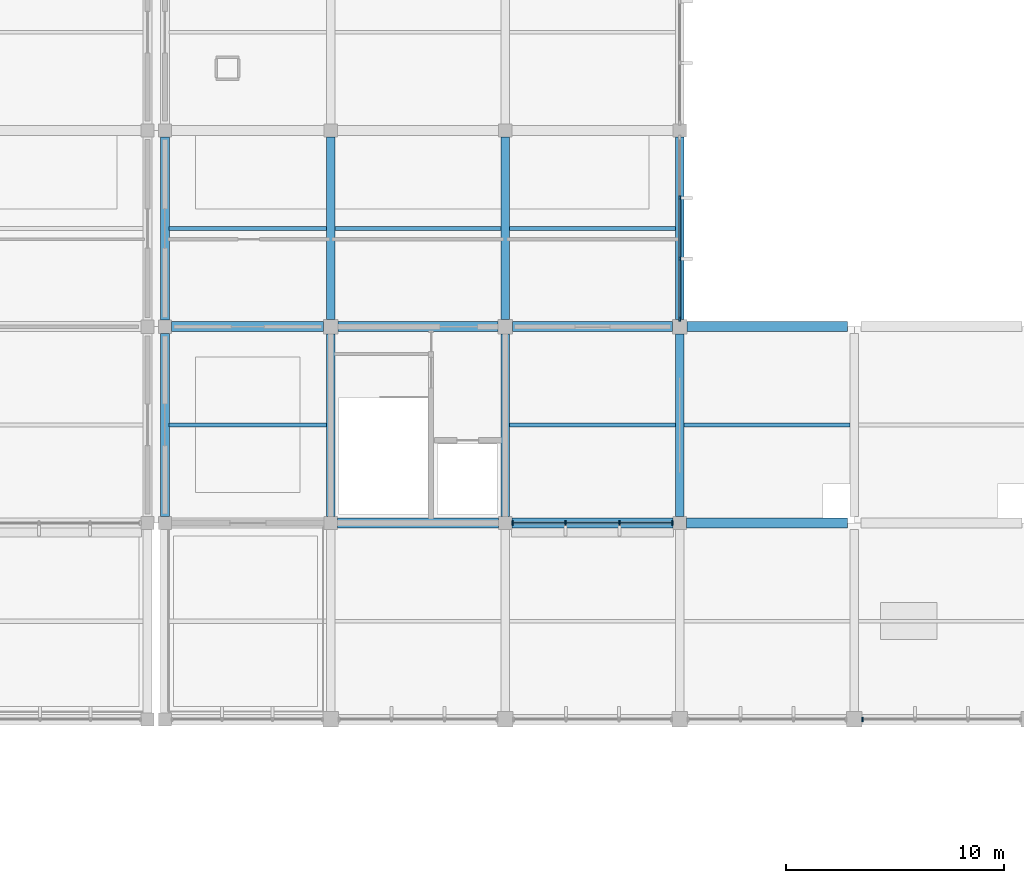
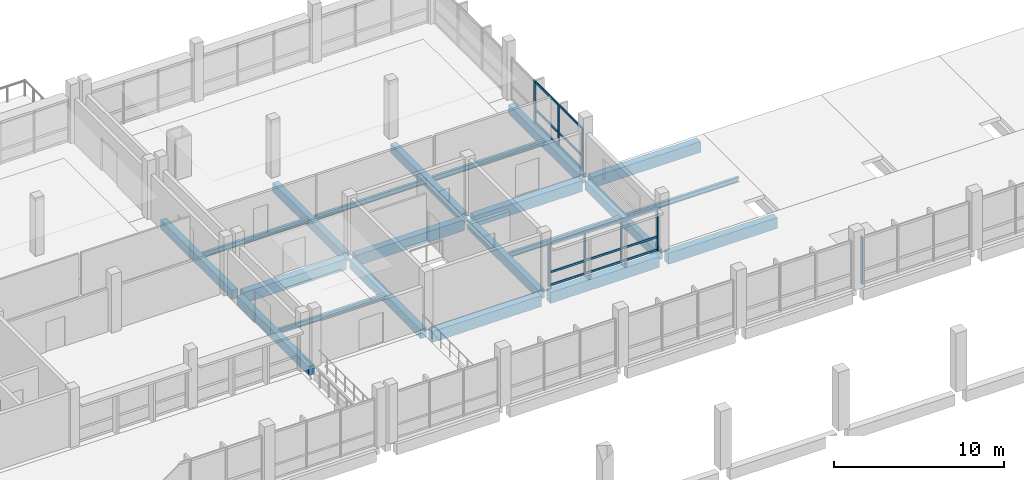
# One storey, part 38 of 70: 23 members, 21 beams, 3 elements without a shape of their own.
"""IFC4 building model written with IfcOpenShell, lengths in metres."""

import ifcopenshell
import ifcopenshell.guid

model = None  # the IFC model being written
_history = None  # IfcOwnerHistory: only IFC2X3 demands one
_inside = {}  # id of a spatial element -> (the spatial element, [elements in it])
_under = {}  # id of a project, library or spatial element -> (it, [spatial elements below it])
_declared = {}  # id of a project -> (the project, [libraries it declares])
_typed = {}  # id of a type object -> (the type object, [elements of that type])
_made_of = {}  # id of a material, layer set ... -> (it, [elements and type objects made of it])


def new_model(schema):
    """Start an empty IFC model of exactly this schema.

    Asked for "IFC4X3", IfcOpenShell would pick the latest addendum, in which some entities
    have other attributes; the version numbers below select the first issue.
    IFC2X3 requires an IfcOwnerHistory on every rooted entity: one is made here for all.
    """
    global model, _history
    if schema == "IFC4X3":
        model = ifcopenshell.file(schema_version=(4, 3, 0, 0))
    else:
        model = ifcopenshell.file(schema=schema)
    _inside.clear()
    _under.clear()
    _declared.clear()
    _typed.clear()
    _made_of.clear()
    _history = None
    if model.schema == "IFC2X3":
        org = make("IfcOrganization", Name="unknown")
        user = make(
            "IfcPersonAndOrganization",
            ThePerson=make("IfcPerson", FamilyName="unknown"),
            TheOrganization=org,
        )
        app = make(
            "IfcApplication",
            ApplicationDeveloper=org,
            Version="unknown",
            ApplicationFullName="unknown",
            ApplicationIdentifier="unknown",
        )
        _history = make(
            "IfcOwnerHistory",
            OwningUser=user,
            OwningApplication=app,
            ChangeAction="ADDED",
            CreationDate=0,
        )
    return model


def make(cls, **values):
    """One entity of the class cls with the attributes given. An attribute that is None is left unset."""
    return model.create_entity(
        cls, **{name: value for name, value in values.items() if value is not None}
    )


def rooted(cls, **values):
    """An entity with a GlobalId (a new one), such as an element, a storey or a relation."""
    return make(cls, GlobalId=ifcopenshell.guid.new(), OwnerHistory=_history, **values)


def si_unit(unit_type, name, prefix=None):
    """IfcSIUnit, for example si_unit("LENGTHUNIT", "METRE", prefix="MILLI")."""
    return make("IfcSIUnit", UnitType=unit_type, Prefix=prefix, Name=name)


def assignment(units):
    """IfcUnitAssignment: the units of a project."""
    return None if units is None else make("IfcUnitAssignment", Units=units)


def point(xyz):
    """IfcCartesianPoint."""
    return None if xyz is None else make("IfcCartesianPoint", Coordinates=xyz)


def direction(xyz):
    """IfcDirection."""
    return None if xyz is None else make("IfcDirection", DirectionRatios=xyz)


def frame(location, z_axis=None, x_axis=None):
    """IfcAxis2Placement3D, a coordinate frame: its origin and axes. An axis left out is left unset."""
    return make(
        "IfcAxis2Placement3D",
        Location=point(location),
        Axis=direction(z_axis),
        RefDirection=direction(x_axis),
    )


def frame_2d(location, x_axis=None):
    """IfcAxis2Placement2D, a coordinate frame in the plane: its origin and x axis."""
    return make(
        "IfcAxis2Placement2D", Location=point(location), RefDirection=direction(x_axis)
    )


def origin():
    """The frame at (0, 0, 0) with its axes left unset."""
    return frame((0.0, 0.0, 0.0))


def origin_2d():
    """The frame at (0, 0) in the plane with its x axis left unset."""
    return frame_2d((0.0, 0.0))


def place(relative_to, where):
    """IfcLocalPlacement: puts the frame where relative to a parent placement (None: the world)."""
    return make(
        "IfcLocalPlacement", PlacementRelTo=relative_to, RelativePlacement=where
    )


def context(
    kind, dimensions, precision=None, world=None, true_north=None, identifier=None
):
    """IfcGeometricRepresentationContext, for example the 3D "Model" context."""
    return make(
        "IfcGeometricRepresentationContext",
        ContextIdentifier=identifier,
        ContextType=kind,
        CoordinateSpaceDimension=dimensions,
        Precision=precision,
        WorldCoordinateSystem=world,
        TrueNorth=true_north,
    )


def subcontext(parent, identifier, kind, view, scale=None):
    """IfcGeometricRepresentationSubContext, for example "Body" below "Model"."""
    return make(
        "IfcGeometricRepresentationSubContext",
        ContextIdentifier=identifier,
        ContextType=kind,
        ParentContext=parent,
        TargetScale=scale,
        TargetView=view,
    )


def project(units=None, contexts=None):
    """IfcProject with its units and contexts."""
    return rooted(
        "IfcProject",
        Name="project",
        RepresentationContexts=contexts,
        UnitsInContext=assignment(units),
    )


def spatial(cls, under=None, at=None, **own):
    """A site, building, storey or space (cls), placed at a placement, below another one or the project."""
    s = rooted(cls, ObjectPlacement=at, **own)
    if under is not None:
        _under.setdefault(under.id(), (under, []))[1].append(s)
    return s


def profile(cls, at=None, kind="AREA", **sizes):
    """A parametric profile (cls). Its sizes go by their IFC names, for example OverallWidth=200.0."""
    return make(cls, ProfileType=kind, Position=at, **sizes)


def rectangle(**sizes):
    """IfcRectangleProfileDef."""
    return profile("IfcRectangleProfileDef", **sizes)


def i_section(**sizes):
    """IfcIShapeProfileDef."""
    return profile("IfcIShapeProfileDef", **sizes)


def extrude(swept, where, along, depth):
    """IfcExtrudedAreaSolid: the profile swept, set in the frame where, extruded along a direction by depth."""
    return make(
        "IfcExtrudedAreaSolid",
        SweptArea=swept,
        Position=where,
        ExtrudedDirection=direction(along),
        Depth=depth,
    )


def shape(context_of_items, identifier, shape_type, items):
    """IfcShapeRepresentation: the items that make up one representation, for example the "Body"."""
    return make(
        "IfcShapeRepresentation",
        ContextOfItems=context_of_items,
        RepresentationIdentifier=identifier,
        RepresentationType=shape_type,
        Items=items,
    )


def material(Name=None, Category=None):
    """IfcMaterial."""
    return make("IfcMaterial", Name=Name, Category=Category)


def material_profile(
    of_material, cross_section, Name=None, Category=None, Priority=None
):
    """IfcMaterialProfile: a cross section and its material."""
    return make(
        "IfcMaterialProfile",
        Name=Name,
        Material=of_material,
        Profile=cross_section,
        Priority=Priority,
        Category=Category,
    )


def profile_set(profiles, Name=None, composite=None):
    """IfcMaterialProfileSet."""
    return make(
        "IfcMaterialProfileSet",
        Name=Name,
        MaterialProfiles=profiles,
        CompositeProfile=composite,
    )


def made_of(thing, what):
    """Note that an element or type object is made of a material, layer set ...; save() writes the relation."""
    if what is not None:
        _made_of.setdefault(what.id(), (what, []))[1].append(thing)
    return thing


def type_object(cls, material=None, **own):
    """A type object (cls), such as IfcWallType, which elements share."""
    return made_of(rooted(cls, **own), material)


def element(
    cls,
    number,
    at=None,
    inside=None,
    cuts=None,
    type_object=None,
    material=None,
    context=None,
    identifier="Body",
    shape_type=None,
    held_by="IfcProductDefinitionShape",
    body=None,
    shapes=None,
    **own,
):
    """One element of the class cls, such as IfcWall. Its Tag is "e" and its number.

    at: its placement. inside: the storey or other place that contains it. cuts: it is an
    opening in that element (IfcRelVoidsElement). A single representation is given by context,
    identifier, shape_type and body (its items); several are given by shapes. held_by: the class
    of the entity that holds the representations. save() writes the other relations.
    """
    e = rooted(cls, Tag="e%d" % number, ObjectPlacement=at, **own)
    if body is not None:
        shapes = [shape(context, identifier, shape_type, body)]
    if shapes is not None:
        e.Representation = make(held_by, Representations=shapes)
    if inside is not None:
        _inside.setdefault(inside.id(), (inside, []))[1].append(e)
    if cuts is not None:
        rooted(
            "IfcRelVoidsElement", RelatingBuildingElement=cuts, RelatedOpeningElement=e
        )
    if type_object is not None:
        _typed.setdefault(type_object.id(), (type_object, []))[1].append(e)
    return made_of(e, material)


def aggregate(whole, parts):
    """IfcRelAggregates: a whole, such as a stair, and the parts it consists of."""
    return rooted("IfcRelAggregates", RelatingObject=whole, RelatedObjects=parts)


def save(model, path):
    """Write the relations noted so far, then the file.

    IfcRelAggregates (storeys below a building ...), IfcRelContainedInSpatialStructure (elements
    in a storey), IfcRelDefinesByType, IfcRelAssociatesMaterial and IfcRelDeclares: one each for
    every whole, place, type object, material and project.
    """
    for whole, parts in _under.values():
        aggregate(whole, parts)
    for where, things in _inside.values():
        rooted(
            "IfcRelContainedInSpatialStructure",
            RelatedElements=things,
            RelatingStructure=where,
        )
    for kind, things in _typed.values():
        rooted("IfcRelDefinesByType", RelatedObjects=things, RelatingType=kind)
    for what, things in _made_of.values():
        rooted("IfcRelAssociatesMaterial", RelatedObjects=things, RelatingMaterial=what)
    for by, libraries in _declared.values():
        rooted("IfcRelDeclares", RelatingContext=by, RelatedDefinitions=libraries)
    model.write(path)


model = new_model("IFC4")

# Units and contexts
model_context = context("Model", 3, precision=1e-05, world=origin(), true_north=direction((0.0, 1.0)))
body_context = subcontext(model_context, "Body", "Model", "MODEL_VIEW")
ifc_project = project(units=[si_unit("LENGTHUNIT", "METRE"), si_unit("AREAUNIT", "SQUARE_METRE"), si_unit("VOLUMEUNIT", "CUBIC_METRE"), si_unit("PLANEANGLEUNIT", "RADIAN"), si_unit("MASSUNIT", "GRAM", prefix="KILO"), si_unit("THERMODYNAMICTEMPERATUREUNIT", "KELVIN"), si_unit("POWERUNIT", "WATT")], contexts=[model_context])

# Site, building, storey
site_placement = place(None, origin())
site = spatial("IfcSite", under=ifc_project, at=site_placement, CompositionType="ELEMENT")
building_placement = place(site_placement, origin())
building = spatial("IfcBuilding", under=site, at=building_placement, Name="Kronsvod Quay Wholesale Market", CompositionType="ELEMENT")
storey_placement = place(building_placement, frame((0.0, 0.0, 9.0)))
storey = spatial("IfcBuildingStorey", under=building, at=storey_placement, Name="L02", CompositionType="ELEMENT", Elevation=9.0)

# Beams
ifc_material_1 = material(Name="Precast concrete C40/50", Category="concrete")
ifc_material_profile_1 = material_profile(ifc_material_1, rectangle(XDim=0.39990234375, YDim=0.64990234375, at=origin_2d()), Name="PCB400x650")
ifc_profile_set_1 = profile_set([ifc_material_profile_1], Name="Precast concrete C40/50")
beam_type_1 = type_object("IfcBeamType", Name="Beam_PCB400x650", PredefinedType="BEAM", material=ifc_profile_set_1)
for number, where, z_axis, x_axis, name in (
    (1, (128.39990234375, 99.300048828125, -0.635009765625), (0.0, 1.0, 0.0), (-1.0, 0.0, 0.0), "BMY-L02-1284-990"),
    (2, (128.39990234375, 108.300048828125, -0.635009765625), (0.0, 1.0, 0.0), (-1.0, 0.0, 0.0), "BMY-L02-1284-1080"),
):
    element("IfcBeam", number, at=place(storey_placement, frame(where, z_axis=z_axis, x_axis=x_axis)), inside=storey, type_object=beam_type_1, Name=name, PredefinedType="BEAM", context=body_context, shape_type="SweptSolid", body=[
        extrude(rectangle(XDim=0.39990234375, YDim=0.64990234375, at=origin_2d()), origin(), (0.0, 0.0, 1.0), 8.39990234375),
    ])
for number, where, z_axis, x_axis, name in (
    (3, (136.0, 99.300048828125, -0.635009765625), (0.0, 1.0, 0.0), (-1.0, 0.0, 0.0), "BMY-L02-1360-990"),
    (4, (136.0, 108.324951171875, -0.635009765625), (0.0, 1.0, 0.0), (-1.0, 0.0, 0.0), "BMY-L02-1360-1080"),
    (5, (144.0, 99.300048828125, -0.635009765625), (0.0, 1.0, 0.0), (-1.0, 0.0, 0.0), "BMY-L02-1440-990"),
    (6, (144.0, 108.324951171875, -0.635009765625), (0.0, 1.0, 0.0), (-1.0, 0.0, 0.0), "BMY-L02-1440-1080"),
    (7, (152.0, 99.300048828125, -0.635009765625), (0.0, 1.0, 0.0), (-1.0, 0.0, 0.0), "BMY-L02-1520-990"),
    (8, (152.0, 108.324951171875, -0.635009765625), (0.0, 1.0, 0.0), (-1.0, 0.0, 0.0), "BMY-L02-1520-1080"),
):
    element("IfcBeam", number, at=place(storey_placement, frame(where, z_axis=z_axis, x_axis=x_axis)), inside=storey, type_object=beam_type_1, Name=name, PredefinedType="BEAM", context=body_context, shape_type="SweptSolid", body=[
        extrude(rectangle(XDim=0.39990234375, YDim=0.64990234375, at=origin_2d()), origin(), (0.0, 0.0, 1.0), 8.375),
    ])
ifc_material_2 = material(Name="Precast concrete C40/50", Category="concrete")
ifc_material_profile_2 = material_profile(ifc_material_2, rectangle(XDim=0.4599609375, YDim=0.780029296875, at=origin_2d()), Name="PB-03")
ifc_profile_set_2 = profile_set([ifc_material_profile_2], Name="Precast concrete C40/50")
beam_type_2 = type_object("IfcBeamType", Name="Beam_PCB460x780", PredefinedType="BEAM", material=ifc_profile_set_2)
for number, where, z_axis, x_axis, name in (
    (9, (136.300048828125, 99.0, -0.699951171875), (1.0, 0.0, 0.0), (0.0, 1.0, 0.0), "BMX-L02-1360-990"),
    (10, (144.300048828125, 99.0, -0.699951171875), (1.0, 0.0, 0.0), (0.0, 1.0, 0.0), "BMX-L02-1440-990"),
    (11, (152.300048828125, 99.0, -0.699951171875), (1.0, 0.0, 0.0), (0.0, 1.0, 0.0), "BMX-L02-1520-990"),
):
    element("IfcBeam", number, at=place(storey_placement, frame(where, z_axis=z_axis, x_axis=x_axis)), inside=storey, type_object=beam_type_2, Name=name, PredefinedType="BEAM", context=body_context, shape_type="SweptSolid", body=[
        extrude(rectangle(XDim=0.4599609375, YDim=0.780029296875, at=origin_2d()), origin(), (0.0, 0.0, 1.0), 7.39990234375),
    ])
beam_1_placement = place(storey_placement, frame((128.699951171875, 108.0, -0.699951171875), z_axis=(1.0, 0.0, 0.0), x_axis=(0.0, 1.0, 0.0)))
element("IfcBeam", 12, at=beam_1_placement, inside=storey, type_object=beam_type_2, Name="BMX-L02-1284-1080", PredefinedType="BEAM", context=body_context, shape_type="SweptSolid", body=[
    extrude(rectangle(XDim=0.4599609375, YDim=0.780029296875, at=origin_2d()), origin(), (0.0, 0.0, 1.0), 6.97509765625),
])
for number, where, z_axis, x_axis, name in (
    (13, (136.324951171875, 108.0, -0.699951171875), (1.0, 0.0, 0.0), (0.0, 1.0, 0.0), "BMX-L02-1360-1080"),
    (14, (144.324951171875, 108.0, -0.699951171875), (1.0, 0.0, 0.0), (0.0, 1.0, 0.0), "BMX-L02-1440-1080"),
):
    element("IfcBeam", number, at=place(storey_placement, frame(where, z_axis=z_axis, x_axis=x_axis)), inside=storey, type_object=beam_type_2, Name=name, PredefinedType="BEAM", context=body_context, shape_type="SweptSolid", body=[
        extrude(rectangle(XDim=0.4599609375, YDim=0.780029296875, at=origin_2d()), origin(), (0.0, 0.0, 1.0), 7.35009765625),
    ])
beam_2_placement = place(storey_placement, frame((152.324951171875, 108.0, -0.699951171875), z_axis=(1.0, 0.0, 0.0), x_axis=(0.0, 1.0, 0.0)))
element("IfcBeam", 15, at=beam_2_placement, inside=storey, type_object=beam_type_2, Name="BMX-L02-1520-1080", PredefinedType="BEAM", context=body_context, shape_type="SweptSolid", body=[
    extrude(rectangle(XDim=0.4599609375, YDim=0.780029296875, at=origin_2d()), origin(), (0.0, 0.0, 1.0), 7.375),
])
ifc_material_3 = material(Name="Steel S355", Category="steel")
ifc_material_profile_3 = material_profile(ifc_material_3, i_section(OverallWidth=0.174072265625, OverallDepth=0.345947265625, WebThickness=0.006103515625, FlangeThickness=0.009033203125, FilletRadius=0.013916015625, at=origin_2d()), Name="35B1")
ifc_profile_set_3 = profile_set([ifc_material_profile_3], Name="Steel S355")
beam_type_3 = type_object("IfcBeamType", Name="Joist_Steel35B1", PredefinedType="JOIST", material=ifc_profile_set_3)
for number, where, z_axis, x_axis, name in (
    (16, (128.594970703125, 103.5, -0.423095703125), (1.0, 0.0, 0.0), (0.0, 1.0, 0.0), "JSTX-L02-1284-990"),
    (17, (128.594970703125, 112.5, -0.423095703125), (1.0, 0.0, 0.0), (0.0, 1.0, 0.0), "JSTX-L02-1284-1080"),
):
    element("IfcBeam", number, at=place(storey_placement, frame(where, z_axis=z_axis, x_axis=x_axis)), inside=storey, type_object=beam_type_3, Name=name, PredefinedType="JOIST", context=body_context, shape_type="SweptSolid", body=[
        extrude(i_section(OverallWidth=0.174072265625, OverallDepth=0.345947265625, WebThickness=0.006103515625, FlangeThickness=0.009033203125, FilletRadius=0.013916015625, at=origin_2d()), origin(), (0.0, 0.0, 1.0), 7.2099609375),
    ])
for number, where, z_axis, x_axis, name in (
    (18, (136.195068359375, 112.5, -0.423095703125), (1.0, 0.0, 0.0), (0.0, 1.0, 0.0), "JSTX-L02-1360-1080"),
    (19, (144.195068359375, 103.5, -0.423095703125), (1.0, 0.0, 0.0), (0.0, 1.0, 0.0), "JSTX-L02-1440-990"),
    (20, (144.195068359375, 112.5, -0.423095703125), (1.0, 0.0, 0.0), (0.0, 1.0, 0.0), "JSTX-L02-1440-1080"),
    (21, (152.195068359375, 103.5, -0.43310546875), (1.0, 0.0, 0.0), (0.0, 1.0, 0.0), "JSTX-L02-1520-990"),
):
    element("IfcBeam", number, at=place(storey_placement, frame(where, z_axis=z_axis, x_axis=x_axis)), inside=storey, type_object=beam_type_3, Name=name, PredefinedType="JOIST", context=body_context, shape_type="SweptSolid", body=[
        extrude(i_section(OverallWidth=0.174072265625, OverallDepth=0.345947265625, WebThickness=0.006103515625, FlangeThickness=0.009033203125, FilletRadius=0.013916015625, at=origin_2d()), origin(), (0.0, 0.0, 1.0), 7.60986328125),
    ])

# Curtain wall, member
ifc_material_4 = material(Name="Thermally broken aluminium and triple low-E glazing", Category="aluminium")
curtain_wall_type_1 = type_object("IfcCurtainWallType", Name="CW_Clerestory80x32", PredefinedType="NOTDEFINED", material=ifc_material_4)
curtain_wall_1_placement = place(storey_placement, origin())
curtain_wall_1 = element("IfcCurtainWall", 22, at=curtain_wall_1_placement, inside=storey, type_object=curtain_wall_type_1, Name="CWGX-L02-1600-900", PredefinedType="NOTDEFINED")
ifc_material_5 = material(Name="Anodised aluminium", Category="aluminium")
ifc_material_profile_4 = material_profile(ifc_material_5, rectangle(XDim=0.074951171875, YDim=0.199951171875, at=origin_2d()), Name="ALUM75x200")
ifc_profile_set_4 = profile_set([ifc_material_profile_4], Name="Anodised aluminium")
member_type_1 = type_object("IfcMemberType", Name="Mullion_ALU75x200", PredefinedType="MULLION", material=ifc_profile_set_4)
member_1_placement = place(storey_placement, frame((160.382568359375, 90.0, 0.0), z_axis=(0.0, 0.0, 1.0), x_axis=(1.0, 0.0, 0.0)))
member_1 = element("IfcMember", 23, at=member_1_placement, type_object=member_type_1, Name="CWGX-L02-1600-900-M4", PredefinedType="MULLION", context=body_context, shape_type="SweptSolid", body=[
    extrude(rectangle(XDim=0.074951171875, YDim=0.199951171875, at=origin_2d()), origin(), (0.0, 0.0, 1.0), 3.419921875),
])
aggregate(curtain_wall_1, [member_1])

# Curtain wall, members
ifc_material_6 = material(Name="Thermally broken aluminium and triple low-E glazing", Category="aluminium")
curtain_wall_type_2 = type_object("IfcCurtainWallType", Name="CW_Harbour80x33", PredefinedType="NOTDEFINED", material=ifc_material_6)
curtain_wall_2_placement = place(storey_placement, origin())
curtain_wall_2 = element("IfcCurtainWall", 24, at=curtain_wall_2_placement, inside=storey, type_object=curtain_wall_type_2, Name="CWGX-L02-1440-990", PredefinedType="NOTDEFINED")
member_2_placement = place(storey_placement, frame((144.33251953125, 99.0, 0.0), z_axis=(0.0, 0.0, 1.0), x_axis=(1.0, 0.0, 0.0)))
member_2 = element("IfcMember", 25, at=member_2_placement, type_object=member_type_1, Name="CWGX-L02-1440-990-M1", PredefinedType="MULLION", context=body_context, shape_type="SweptSolid", body=[
    extrude(rectangle(XDim=0.074951171875, YDim=0.199951171875, at=origin_2d()), origin(), (0.0, 0.0, 1.0), 3.050048828125),
])
member_3_placement = place(storey_placement, frame((146.764892578125, 99.0, 0.0), z_axis=(0.0, 0.0, 1.0), x_axis=(1.0, 0.0, 0.0)))
member_3 = element("IfcMember", 26, at=member_3_placement, type_object=member_type_1, Name="CWGX-L02-1440-990-M2", PredefinedType="MULLION", context=body_context, shape_type="SweptSolid", body=[
    extrude(rectangle(XDim=0.074951171875, YDim=0.199951171875, at=origin_2d()), origin(), (0.0, 0.0, 1.0), 3.050048828125),
])
member_4_placement = place(storey_placement, frame((149.235107421875, 99.0, 0.0), z_axis=(0.0, 0.0, 1.0), x_axis=(1.0, 0.0, 0.0)))
member_4 = element("IfcMember", 27, at=member_4_placement, type_object=member_type_1, Name="CWGX-L02-1440-990-M3", PredefinedType="MULLION", context=body_context, shape_type="SweptSolid", body=[
    extrude(rectangle(XDim=0.074951171875, YDim=0.199951171875, at=origin_2d()), origin(), (0.0, 0.0, 1.0), 3.050048828125),
])
member_5_placement = place(storey_placement, frame((151.66748046875, 99.0, 0.0), z_axis=(0.0, 0.0, 1.0), x_axis=(1.0, 0.0, 0.0)))
member_5 = element("IfcMember", 28, at=member_5_placement, type_object=member_type_1, Name="CWGX-L02-1440-990-M4", PredefinedType="MULLION", context=body_context, shape_type="SweptSolid", body=[
    extrude(rectangle(XDim=0.074951171875, YDim=0.199951171875, at=origin_2d()), origin(), (0.0, 0.0, 1.0), 3.050048828125),
])

ifc_material_7 = material(Name="Thermally broken aluminium and triple low-E glazing", Category="aluminium")
curtain_wall_type_3 = type_object("IfcCurtainWallType", Name="CW_Wing90x33", PredefinedType="NOTDEFINED", material=ifc_material_7)
curtain_wall_3_placement = place(storey_placement, origin())
curtain_wall_3 = element("IfcCurtainWall", 29, at=curtain_wall_3_placement, inside=storey, type_object=curtain_wall_type_3, Name="CWGY-L02-1520-1080", PredefinedType="NOTDEFINED")
member_6_placement = place(storey_placement, frame((152.0, 108.357421875, 0.0), z_axis=(0.0, 0.0, 1.0), x_axis=(1.0, 0.0, 0.0)))
member_6 = element("IfcMember", 30, at=member_6_placement, type_object=member_type_1, Name="CWGY-L02-1520-1080-M1", PredefinedType="MULLION", context=body_context, shape_type="SweptSolid", body=[
    extrude(rectangle(XDim=0.074951171875, YDim=0.199951171875, at=origin_2d()), origin(), (0.0, 0.0, 1.0), 3.050048828125),
])
member_7_placement = place(storey_placement, frame((152.0, 111.114990234375, 0.0), z_axis=(0.0, 0.0, 1.0), x_axis=(1.0, 0.0, 0.0)))
member_7 = element("IfcMember", 31, at=member_7_placement, type_object=member_type_1, Name="CWGY-L02-1520-1080-M2", PredefinedType="MULLION", context=body_context, shape_type="SweptSolid", body=[
    extrude(rectangle(XDim=0.074951171875, YDim=0.199951171875, at=origin_2d()), origin(), (0.0, 0.0, 1.0), 3.050048828125),
])
member_8_placement = place(storey_placement, frame((152.0, 113.909912109375, 0.0), z_axis=(0.0, 0.0, 1.0), x_axis=(1.0, 0.0, 0.0)))
member_8 = element("IfcMember", 32, at=member_8_placement, type_object=member_type_1, Name="CWGY-L02-1520-1080-M3", PredefinedType="MULLION", context=body_context, shape_type="SweptSolid", body=[
    extrude(rectangle(XDim=0.074951171875, YDim=0.199951171875, at=origin_2d()), origin(), (0.0, 0.0, 1.0), 3.050048828125),
])

# Member
ifc_material_8 = material(Name="Anodised aluminium", Category="aluminium")
ifc_material_profile_5 = material_profile(ifc_material_8, rectangle(XDim=0.074951171875, YDim=0.14990234375, at=origin_2d()), Name="ALUT75x150")
ifc_profile_set_5 = profile_set([ifc_material_profile_5], Name="Anodised aluminium")
member_type_2 = type_object("IfcMemberType", Name="Transom_ALU75x150", PredefinedType="USERDEFINED", material=ifc_profile_set_5)
member_9_placement = place(storey_placement, frame((144.3701171875, 99.0, 0.074951171875), z_axis=(1.0, 0.0, 0.0), x_axis=(0.0, 1.0, 0.0)))
member_9 = element("IfcMember", 33, at=member_9_placement, type_object=member_type_2, Name="CWGX-L02-1440-990-T1B1", ObjectType="TRANSOM", PredefinedType="USERDEFINED", context=body_context, shape_type="SweptSolid", body=[
    extrude(rectangle(XDim=0.074951171875, YDim=0.14990234375, at=origin_2d()), origin(), (0.0, 0.0, 1.0), 2.357421875),
])

member_10_placement = place(storey_placement, frame((146.802490234375, 99.0, 0.074951171875), z_axis=(1.0, 0.0, 0.0), x_axis=(0.0, 1.0, 0.0)))
member_10 = element("IfcMember", 34, at=member_10_placement, type_object=member_type_2, Name="CWGX-L02-1440-990-T1B2", ObjectType="TRANSOM", PredefinedType="USERDEFINED", context=body_context, shape_type="SweptSolid", body=[
    extrude(rectangle(XDim=0.074951171875, YDim=0.14990234375, at=origin_2d()), origin(), (0.0, 0.0, 1.0), 2.39501953125),
])

member_11_placement = place(storey_placement, frame((149.2724609375, 99.0, 0.074951171875), z_axis=(1.0, 0.0, 0.0), x_axis=(0.0, 1.0, 0.0)))
member_11 = element("IfcMember", 35, at=member_11_placement, type_object=member_type_2, Name="CWGX-L02-1440-990-T1B3", ObjectType="TRANSOM", PredefinedType="USERDEFINED", context=body_context, shape_type="SweptSolid", body=[
    extrude(rectangle(XDim=0.074951171875, YDim=0.14990234375, at=origin_2d()), origin(), (0.0, 0.0, 1.0), 2.357421875),
])

member_12_placement = place(storey_placement, frame((144.3701171875, 99.0, 1.0), z_axis=(1.0, 0.0, 0.0), x_axis=(0.0, 1.0, 0.0)))
member_12 = element("IfcMember", 36, at=member_12_placement, type_object=member_type_2, Name="CWGX-L02-1440-990-T2B1", ObjectType="TRANSOM", PredefinedType="USERDEFINED", context=body_context, shape_type="SweptSolid", body=[
    extrude(rectangle(XDim=0.074951171875, YDim=0.14990234375, at=origin_2d()), origin(), (0.0, 0.0, 1.0), 2.357421875),
])

member_13_placement = place(storey_placement, frame((146.802490234375, 99.0, 1.0), z_axis=(1.0, 0.0, 0.0), x_axis=(0.0, 1.0, 0.0)))
member_13 = element("IfcMember", 37, at=member_13_placement, type_object=member_type_2, Name="CWGX-L02-1440-990-T2B2", ObjectType="TRANSOM", PredefinedType="USERDEFINED", context=body_context, shape_type="SweptSolid", body=[
    extrude(rectangle(XDim=0.074951171875, YDim=0.14990234375, at=origin_2d()), origin(), (0.0, 0.0, 1.0), 2.39501953125),
])

member_14_placement = place(storey_placement, frame((149.2724609375, 99.0, 1.0), z_axis=(1.0, 0.0, 0.0), x_axis=(0.0, 1.0, 0.0)))
member_14 = element("IfcMember", 38, at=member_14_placement, type_object=member_type_2, Name="CWGX-L02-1440-990-T2B3", ObjectType="TRANSOM", PredefinedType="USERDEFINED", context=body_context, shape_type="SweptSolid", body=[
    extrude(rectangle(XDim=0.074951171875, YDim=0.14990234375, at=origin_2d()), origin(), (0.0, 0.0, 1.0), 2.357421875),
])

member_15_placement = place(storey_placement, frame((144.3701171875, 99.0, 2.97509765625), z_axis=(1.0, 0.0, 0.0), x_axis=(0.0, 1.0, 0.0)))
member_15 = element("IfcMember", 39, at=member_15_placement, type_object=member_type_2, Name="CWGX-L02-1440-990-T3B1", ObjectType="TRANSOM", PredefinedType="USERDEFINED", context=body_context, shape_type="SweptSolid", body=[
    extrude(rectangle(XDim=0.074951171875, YDim=0.14990234375, at=origin_2d()), origin(), (0.0, 0.0, 1.0), 2.357421875),
])

member_16_placement = place(storey_placement, frame((146.802490234375, 99.0, 2.97509765625), z_axis=(1.0, 0.0, 0.0), x_axis=(0.0, 1.0, 0.0)))
member_16 = element("IfcMember", 40, at=member_16_placement, type_object=member_type_2, Name="CWGX-L02-1440-990-T3B2", ObjectType="TRANSOM", PredefinedType="USERDEFINED", context=body_context, shape_type="SweptSolid", body=[
    extrude(rectangle(XDim=0.074951171875, YDim=0.14990234375, at=origin_2d()), origin(), (0.0, 0.0, 1.0), 2.39501953125),
])

member_17_placement = place(storey_placement, frame((149.2724609375, 99.0, 2.97509765625), z_axis=(1.0, 0.0, 0.0), x_axis=(0.0, 1.0, 0.0)))
member_17 = element("IfcMember", 41, at=member_17_placement, type_object=member_type_2, Name="CWGX-L02-1440-990-T3B3", ObjectType="TRANSOM", PredefinedType="USERDEFINED", context=body_context, shape_type="SweptSolid", body=[
    extrude(rectangle(XDim=0.074951171875, YDim=0.14990234375, at=origin_2d()), origin(), (0.0, 0.0, 1.0), 2.357421875),
])

aggregate(curtain_wall_2, [member_2, member_3, member_4, member_5, member_9, member_10, member_11, member_12, member_13, member_14, member_15, member_16, member_17])

member_18_placement = place(storey_placement, frame((152.0, 108.39501953125, 0.074951171875), z_axis=(0.0, 1.0, 0.0), x_axis=(-1.0, 0.0, 0.0)))
member_18 = element("IfcMember", 42, at=member_18_placement, type_object=member_type_2, Name="CWGY-L02-1520-1080-T1B1", ObjectType="TRANSOM", PredefinedType="USERDEFINED", context=body_context, shape_type="SweptSolid", body=[
    extrude(rectangle(XDim=0.074951171875, YDim=0.14990234375, at=origin_2d()), origin(), (0.0, 0.0, 1.0), 2.682373046875),
])

member_19_placement = place(storey_placement, frame((152.0, 111.152587890625, 0.074951171875), z_axis=(0.0, 1.0, 0.0), x_axis=(-1.0, 0.0, 0.0)))
member_19 = element("IfcMember", 43, at=member_19_placement, type_object=member_type_2, Name="CWGY-L02-1520-1080-T1B2", ObjectType="TRANSOM", PredefinedType="USERDEFINED", context=body_context, shape_type="SweptSolid", body=[
    extrude(rectangle(XDim=0.074951171875, YDim=0.14990234375, at=origin_2d()), origin(), (0.0, 0.0, 1.0), 2.719970703125),
])

member_20_placement = place(storey_placement, frame((152.0, 108.39501953125, 1.0), z_axis=(0.0, 1.0, 0.0), x_axis=(-1.0, 0.0, 0.0)))
member_20 = element("IfcMember", 44, at=member_20_placement, type_object=member_type_2, Name="CWGY-L02-1520-1080-T2B1", ObjectType="TRANSOM", PredefinedType="USERDEFINED", context=body_context, shape_type="SweptSolid", body=[
    extrude(rectangle(XDim=0.074951171875, YDim=0.14990234375, at=origin_2d()), origin(), (0.0, 0.0, 1.0), 2.682373046875),
])

member_21_placement = place(storey_placement, frame((152.0, 111.152587890625, 1.0), z_axis=(0.0, 1.0, 0.0), x_axis=(-1.0, 0.0, 0.0)))
member_21 = element("IfcMember", 45, at=member_21_placement, type_object=member_type_2, Name="CWGY-L02-1520-1080-T2B2", ObjectType="TRANSOM", PredefinedType="USERDEFINED", context=body_context, shape_type="SweptSolid", body=[
    extrude(rectangle(XDim=0.074951171875, YDim=0.14990234375, at=origin_2d()), origin(), (0.0, 0.0, 1.0), 2.719970703125),
])

member_22_placement = place(storey_placement, frame((152.0, 108.39501953125, 2.97509765625), z_axis=(0.0, 1.0, 0.0), x_axis=(-1.0, 0.0, 0.0)))
member_22 = element("IfcMember", 46, at=member_22_placement, type_object=member_type_2, Name="CWGY-L02-1520-1080-T3B1", ObjectType="TRANSOM", PredefinedType="USERDEFINED", context=body_context, shape_type="SweptSolid", body=[
    extrude(rectangle(XDim=0.074951171875, YDim=0.14990234375, at=origin_2d()), origin(), (0.0, 0.0, 1.0), 2.682373046875),
])

member_23_placement = place(storey_placement, frame((152.0, 111.152587890625, 2.97509765625), z_axis=(0.0, 1.0, 0.0), x_axis=(-1.0, 0.0, 0.0)))
member_23 = element("IfcMember", 47, at=member_23_placement, type_object=member_type_2, Name="CWGY-L02-1520-1080-T3B2", ObjectType="TRANSOM", PredefinedType="USERDEFINED", context=body_context, shape_type="SweptSolid", body=[
    extrude(rectangle(XDim=0.074951171875, YDim=0.14990234375, at=origin_2d()), origin(), (0.0, 0.0, 1.0), 2.719970703125),
])

aggregate(curtain_wall_3, [member_6, member_7, member_8, member_18, member_19, member_20, member_21, member_22, member_23])

save(model, "model.ifc")
